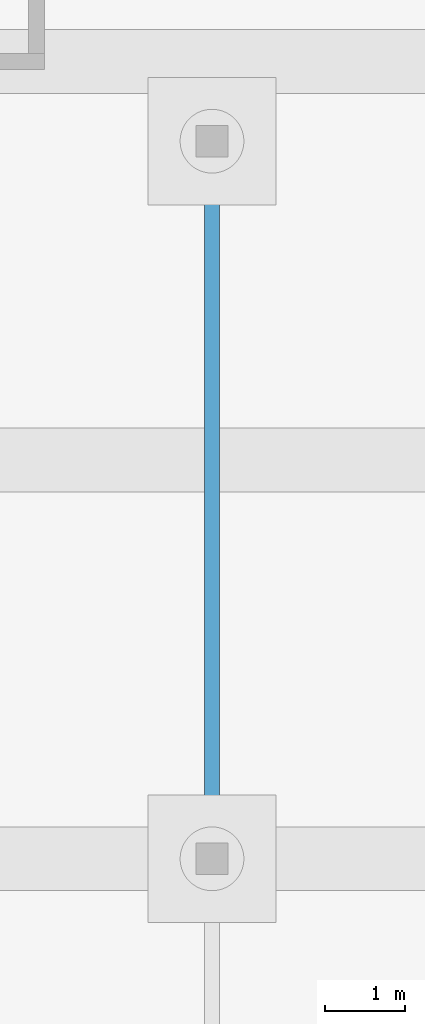
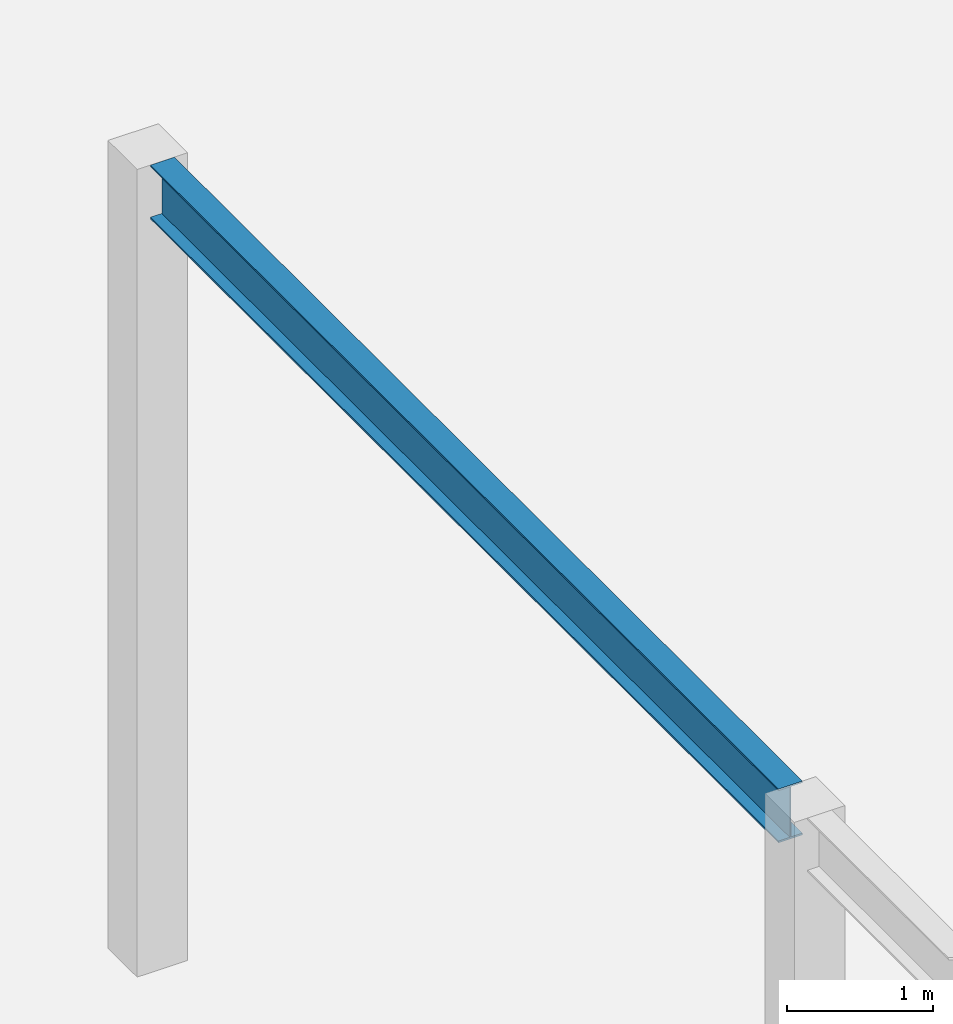
# One storey, part 128 of 239: 1 beam.
"""IFC4 building model written with IfcOpenShell, lengths in metres."""

import ifcopenshell
import ifcopenshell.guid

model = None  # the IFC model being written
_history = None  # IfcOwnerHistory: only IFC2X3 demands one
_inside = {}  # id of a spatial element -> (the spatial element, [elements in it])
_under = {}  # id of a project, library or spatial element -> (it, [spatial elements below it])
_declared = {}  # id of a project -> (the project, [libraries it declares])
_typed = {}  # id of a type object -> (the type object, [elements of that type])
_made_of = {}  # id of a material, layer set ... -> (it, [elements and type objects made of it])


def new_model(schema):
    """Start an empty IFC model of exactly this schema.

    Asked for "IFC4X3", IfcOpenShell would pick the latest addendum, in which some entities
    have other attributes; the version numbers below select the first issue.
    IFC2X3 requires an IfcOwnerHistory on every rooted entity: one is made here for all.
    """
    global model, _history
    if schema == "IFC4X3":
        model = ifcopenshell.file(schema_version=(4, 3, 0, 0))
    else:
        model = ifcopenshell.file(schema=schema)
    _inside.clear()
    _under.clear()
    _declared.clear()
    _typed.clear()
    _made_of.clear()
    _history = None
    if model.schema == "IFC2X3":
        org = make("IfcOrganization", Name="unknown")
        user = make(
            "IfcPersonAndOrganization",
            ThePerson=make("IfcPerson", FamilyName="unknown"),
            TheOrganization=org,
        )
        app = make(
            "IfcApplication",
            ApplicationDeveloper=org,
            Version="unknown",
            ApplicationFullName="unknown",
            ApplicationIdentifier="unknown",
        )
        _history = make(
            "IfcOwnerHistory",
            OwningUser=user,
            OwningApplication=app,
            ChangeAction="ADDED",
            CreationDate=0,
        )
    return model


def make(cls, **values):
    """One entity of the class cls with the attributes given. An attribute that is None is left unset."""
    return model.create_entity(
        cls, **{name: value for name, value in values.items() if value is not None}
    )


def rooted(cls, **values):
    """An entity with a GlobalId (a new one), such as an element, a storey or a relation."""
    return make(cls, GlobalId=ifcopenshell.guid.new(), OwnerHistory=_history, **values)


def si_unit(unit_type, name, prefix=None):
    """IfcSIUnit, for example si_unit("LENGTHUNIT", "METRE", prefix="MILLI")."""
    return make("IfcSIUnit", UnitType=unit_type, Prefix=prefix, Name=name)


def assignment(units):
    """IfcUnitAssignment: the units of a project."""
    return None if units is None else make("IfcUnitAssignment", Units=units)


def point(xyz):
    """IfcCartesianPoint."""
    return None if xyz is None else make("IfcCartesianPoint", Coordinates=xyz)


def direction(xyz):
    """IfcDirection."""
    return None if xyz is None else make("IfcDirection", DirectionRatios=xyz)


def frame(location, z_axis=None, x_axis=None):
    """IfcAxis2Placement3D, a coordinate frame: its origin and axes. An axis left out is left unset."""
    return make(
        "IfcAxis2Placement3D",
        Location=point(location),
        Axis=direction(z_axis),
        RefDirection=direction(x_axis),
    )


def frame_2d(location, x_axis=None):
    """IfcAxis2Placement2D, a coordinate frame in the plane: its origin and x axis."""
    return make(
        "IfcAxis2Placement2D", Location=point(location), RefDirection=direction(x_axis)
    )


def origin():
    """The frame at (0, 0, 0) with its axes left unset."""
    return frame((0.0, 0.0, 0.0))


def origin_2d():
    """The frame at (0, 0) in the plane with its x axis left unset."""
    return frame_2d((0.0, 0.0))


def place(relative_to, where):
    """IfcLocalPlacement: puts the frame where relative to a parent placement (None: the world)."""
    return make(
        "IfcLocalPlacement", PlacementRelTo=relative_to, RelativePlacement=where
    )


def context(
    kind, dimensions, precision=None, world=None, true_north=None, identifier=None
):
    """IfcGeometricRepresentationContext, for example the 3D "Model" context."""
    return make(
        "IfcGeometricRepresentationContext",
        ContextIdentifier=identifier,
        ContextType=kind,
        CoordinateSpaceDimension=dimensions,
        Precision=precision,
        WorldCoordinateSystem=world,
        TrueNorth=true_north,
    )


def subcontext(parent, identifier, kind, view, scale=None):
    """IfcGeometricRepresentationSubContext, for example "Body" below "Model"."""
    return make(
        "IfcGeometricRepresentationSubContext",
        ContextIdentifier=identifier,
        ContextType=kind,
        ParentContext=parent,
        TargetScale=scale,
        TargetView=view,
    )


def project(units=None, contexts=None):
    """IfcProject with its units and contexts."""
    return rooted(
        "IfcProject",
        Name="project",
        RepresentationContexts=contexts,
        UnitsInContext=assignment(units),
    )


def spatial(cls, under=None, at=None, **own):
    """A site, building, storey or space (cls), placed at a placement, below another one or the project."""
    s = rooted(cls, ObjectPlacement=at, **own)
    if under is not None:
        _under.setdefault(under.id(), (under, []))[1].append(s)
    return s


def profile(cls, at=None, kind="AREA", **sizes):
    """A parametric profile (cls). Its sizes go by their IFC names, for example OverallWidth=200.0."""
    return make(cls, ProfileType=kind, Position=at, **sizes)


def i_section(**sizes):
    """IfcIShapeProfileDef."""
    return profile("IfcIShapeProfileDef", **sizes)


def extrude(swept, where, along, depth):
    """IfcExtrudedAreaSolid: the profile swept, set in the frame where, extruded along a direction by depth."""
    return make(
        "IfcExtrudedAreaSolid",
        SweptArea=swept,
        Position=where,
        ExtrudedDirection=direction(along),
        Depth=depth,
    )


def shape(context_of_items, identifier, shape_type, items):
    """IfcShapeRepresentation: the items that make up one representation, for example the "Body"."""
    return make(
        "IfcShapeRepresentation",
        ContextOfItems=context_of_items,
        RepresentationIdentifier=identifier,
        RepresentationType=shape_type,
        Items=items,
    )


def material(Name=None, Category=None):
    """IfcMaterial."""
    return make("IfcMaterial", Name=Name, Category=Category)


def material_profile(
    of_material, cross_section, Name=None, Category=None, Priority=None
):
    """IfcMaterialProfile: a cross section and its material."""
    return make(
        "IfcMaterialProfile",
        Name=Name,
        Material=of_material,
        Profile=cross_section,
        Priority=Priority,
        Category=Category,
    )


def profile_set(profiles, Name=None, composite=None):
    """IfcMaterialProfileSet."""
    return make(
        "IfcMaterialProfileSet",
        Name=Name,
        MaterialProfiles=profiles,
        CompositeProfile=composite,
    )


def made_of(thing, what):
    """Note that an element or type object is made of a material, layer set ...; save() writes the relation."""
    if what is not None:
        _made_of.setdefault(what.id(), (what, []))[1].append(thing)
    return thing


def type_object(cls, material=None, **own):
    """A type object (cls), such as IfcWallType, which elements share."""
    return made_of(rooted(cls, **own), material)


def element(
    cls,
    number,
    at=None,
    inside=None,
    cuts=None,
    type_object=None,
    material=None,
    context=None,
    identifier="Body",
    shape_type=None,
    held_by="IfcProductDefinitionShape",
    body=None,
    shapes=None,
    **own,
):
    """One element of the class cls, such as IfcWall. Its Tag is "e" and its number.

    at: its placement. inside: the storey or other place that contains it. cuts: it is an
    opening in that element (IfcRelVoidsElement). A single representation is given by context,
    identifier, shape_type and body (its items); several are given by shapes. held_by: the class
    of the entity that holds the representations. save() writes the other relations.
    """
    e = rooted(cls, Tag="e%d" % number, ObjectPlacement=at, **own)
    if body is not None:
        shapes = [shape(context, identifier, shape_type, body)]
    if shapes is not None:
        e.Representation = make(held_by, Representations=shapes)
    if inside is not None:
        _inside.setdefault(inside.id(), (inside, []))[1].append(e)
    if cuts is not None:
        rooted(
            "IfcRelVoidsElement", RelatingBuildingElement=cuts, RelatedOpeningElement=e
        )
    if type_object is not None:
        _typed.setdefault(type_object.id(), (type_object, []))[1].append(e)
    return made_of(e, material)


def aggregate(whole, parts):
    """IfcRelAggregates: a whole, such as a stair, and the parts it consists of."""
    return rooted("IfcRelAggregates", RelatingObject=whole, RelatedObjects=parts)


def save(model, path):
    """Write the relations noted so far, then the file.

    IfcRelAggregates (storeys below a building ...), IfcRelContainedInSpatialStructure (elements
    in a storey), IfcRelDefinesByType, IfcRelAssociatesMaterial and IfcRelDeclares: one each for
    every whole, place, type object, material and project.
    """
    for whole, parts in _under.values():
        aggregate(whole, parts)
    for where, things in _inside.values():
        rooted(
            "IfcRelContainedInSpatialStructure",
            RelatedElements=things,
            RelatingStructure=where,
        )
    for kind, things in _typed.values():
        rooted("IfcRelDefinesByType", RelatedObjects=things, RelatingType=kind)
    for what, things in _made_of.values():
        rooted("IfcRelAssociatesMaterial", RelatedObjects=things, RelatingMaterial=what)
    for by, libraries in _declared.values():
        rooted("IfcRelDeclares", RelatingContext=by, RelatedDefinitions=libraries)
    model.write(path)


model = new_model("IFC4")

# Units and contexts
model_context = context("Model", 3, precision=1e-05, world=origin(), true_north=direction((0.0, 1.0)))
body_context = subcontext(model_context, "Body", "Model", "MODEL_VIEW")
ifc_project = project(units=[si_unit("LENGTHUNIT", "METRE"), si_unit("AREAUNIT", "SQUARE_METRE"), si_unit("VOLUMEUNIT", "CUBIC_METRE"), si_unit("PLANEANGLEUNIT", "RADIAN"), si_unit("MASSUNIT", "GRAM", prefix="KILO")], contexts=[model_context])

# Site, building, storey
site_placement = place(None, origin())
site = spatial("IfcSite", under=ifc_project, at=site_placement, CompositionType="ELEMENT")
building_placement = place(site_placement, origin())
building = spatial("IfcBuilding", under=site, at=building_placement, Name="Okhra Congress Centre", CompositionType="ELEMENT")
storey_placement = place(building_placement, origin())
storey = spatial("IfcBuildingStorey", under=building, at=storey_placement, Name="L00", CompositionType="ELEMENT", Elevation=0.0)

# Beam
ifc_material = material(Name="Steel S355J2", Category="steel")
ifc_material_profile = material_profile(ifc_material, i_section(OverallWidth=0.18994140625, OverallDepth=0.449951171875, WebThickness=0.009521484375, FlangeThickness=0.0146484375, at=origin_2d()), Name="IPE 450")
ifc_profile_set = profile_set([ifc_material_profile], Name="Steel S355J2")
beam_type = type_object("IfcBeamType", Name="Steel gallery edge beam IPE 450", PredefinedType="BEAM", material=ifc_profile_set)
beam_placement = place(storey_placement, frame((169.199951171875, 126.199951171875, 6.52490234375), z_axis=(0.0, 1.0, 0.0), x_axis=(-1.0, 0.0, 0.0)))
element("IfcBeam", 1, at=beam_placement, inside=storey, type_object=beam_type, Name="Gallery edge beam 5", PredefinedType="BEAM", context=body_context, shape_type="SweptSolid", body=[
    extrude(i_section(OverallWidth=0.18994140625, OverallDepth=0.449951171875, WebThickness=0.009521484375, FlangeThickness=0.0146484375, at=origin_2d()), origin(), (0.0, 0.0, 1.0), 8.60009765625),
])

save(model, "model.ifc")
